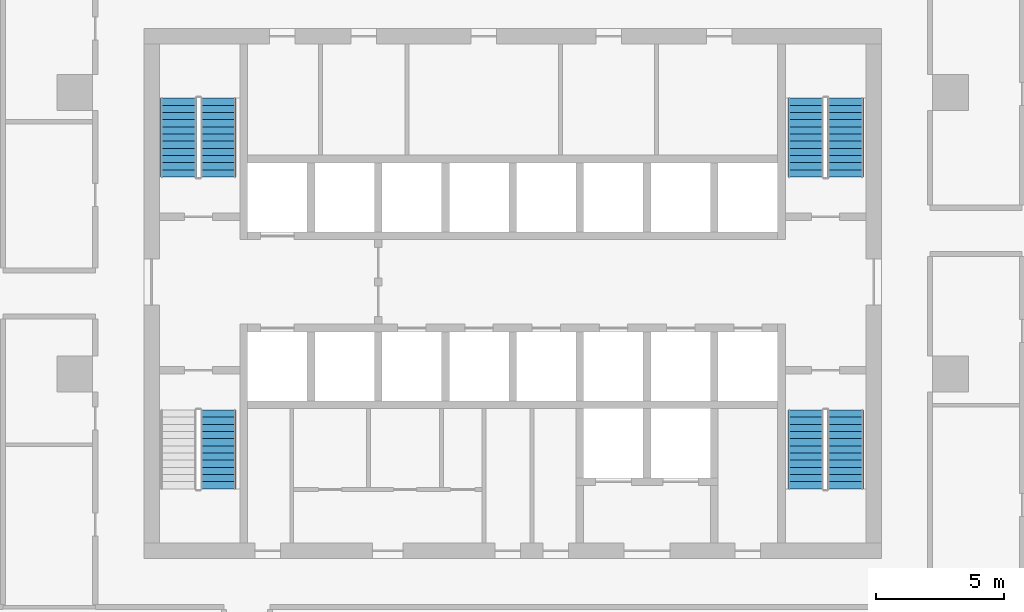
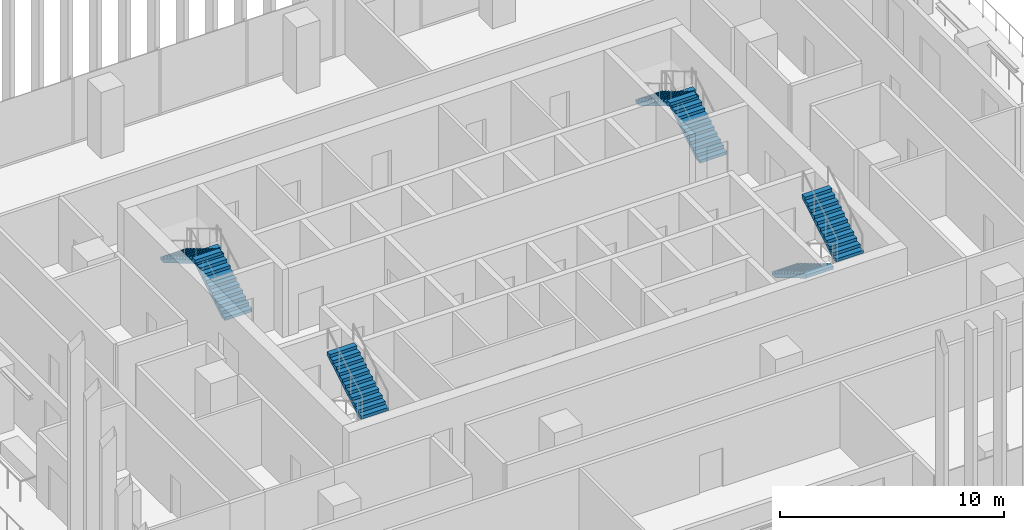
# One storey, part 11 of 16: 7 stair flights, 4 elements without a shape of their own.
"""IFC4 building model written with IfcOpenShell, lengths in metres."""

from ifc_helpers import new_model, si_unit, direction, frame, origin, place, context, subcontext, project, spatial, polyline, outline, extrude, material, type_object, element, aggregate, save


model = new_model("IFC4")

# Units and contexts
model_context = context("Model", 3, precision=1e-05, world=origin(), true_north=direction((0.0, 1.0)))
body_context = subcontext(model_context, "Body", "Model", "MODEL_VIEW")
ifc_project = project(units=[si_unit("LENGTHUNIT", "METRE"), si_unit("AREAUNIT", "SQUARE_METRE"), si_unit("VOLUMEUNIT", "CUBIC_METRE"), si_unit("PLANEANGLEUNIT", "RADIAN"), si_unit("MASSUNIT", "GRAM", prefix="KILO")], contexts=[model_context])

# Site, building, storey
site_placement = place(None, origin())
site = spatial("IfcSite", under=ifc_project, at=site_placement, CompositionType="ELEMENT")
building_placement = place(site_placement, origin())
building = spatial("IfcBuilding", under=site, at=building_placement, Name="Mopane Tessera Tower", CompositionType="ELEMENT")
storey_placement = place(building_placement, frame((0.0, 0.0, 157.0)))
storey = spatial("IfcBuildingStorey", under=building, at=storey_placement, Name="L31", CompositionType="ELEMENT", Elevation=157.0)

# Stair, stair flight
ifc_material_1 = material(Name="Concrete C50/60", Category="concrete")
stair_type = type_object("IfcStairType", Name="Escape stair 1400 mm, riser 167 mm", PredefinedType="HALF_TURN_STAIR", material=ifc_material_1)
stair_1_placement = place(storey_placement, origin())
stair_1 = element("IfcStair", 1, at=stair_1_placement, inside=storey, type_object=stair_type, Name="L31 Escape stair south-west", PredefinedType="HALF_TURN_STAIR")
ifc_material_2 = material(Name="Concrete C50/60", Category="concrete")
stair_flight_type = type_object("IfcStairFlightType", Name="Escape stair flight 1400 mm", PredefinedType="STRAIGHT", material=ifc_material_2)
stair_flight_1_placement = place(storey_placement, frame((-11.5, -4.47998046875, 2.0), z_axis=(0.0, 0.0, 1.0), x_axis=(0.0, 1.0, 0.0)))
stair_flight_1 = element("IfcStairFlight", 2, at=stair_flight_1_placement, type_object=stair_flight_type, Name="ST1 flight 2", NumberOfRisers=12, NumberOfTreads=11, PredefinedType="STRAIGHT", RiserHeight=0.166666667, TreadLength=0.28, context=body_context, shape_type="SweptSolid", body=[
    extrude(outline(polyline([(0.0, 0.0), (0.0, 0.166748046875), (0.280029296875, 0.166748046875), (0.280029296875, 0.333251953125), (0.56005859375, 0.333251953125), (0.56005859375, 0.5), (0.840087890625, 0.5), (0.840087890625, 0.666748046875), (1.1201171875, 0.666748046875), (1.1201171875, 0.833251953125), (1.39990234375, 0.833251953125), (1.39990234375, 1.0), (1.679931640625, 1.0), (1.679931640625, 1.166748046875), (1.9599609375, 1.166748046875), (1.9599609375, 1.333251953125), (2.239990234375, 1.333251953125), (2.239990234375, 1.5), (2.52001953125, 1.5), (2.52001953125, 1.666748046875), (2.800048828125, 1.666748046875), (2.800048828125, 1.833251953125), (3.080078125, 1.833251953125), (3.080078125, 2.0), (3.080078125, 1.658935546875), (0.29296875, 0.0), (0.0, 0.0)])), frame((0.0, 0.699951171875, 0.0), z_axis=(0.0, -1.0, 0.0), x_axis=(1.0, 0.0, 0.0)), (0.0, 0.0, 1.0), 1.39990234375),
])
aggregate(stair_1, [stair_flight_1])

# Stair, stair flights
stair_2_placement = place(storey_placement, origin())
stair_2 = element("IfcStair", 3, at=stair_2_placement, inside=storey, type_object=stair_type, Name="L31 Escape stair north-west", PredefinedType="HALF_TURN_STAIR")
stair_flight_2_placement = place(storey_placement, frame((-11.5, 7.699951171875, 0.0), z_axis=(0.0, 0.0, 1.0), x_axis=(0.0, 1.0, 0.0)))
stair_flight_2 = element("IfcStairFlight", 4, at=stair_flight_2_placement, type_object=stair_flight_type, Name="ST2 flight 1", NumberOfRisers=12, NumberOfTreads=11, PredefinedType="STRAIGHT", RiserHeight=0.166666667, TreadLength=0.28, context=body_context, shape_type="SweptSolid", body=[
    extrude(outline(polyline([(0.0, 0.0), (0.0, 0.166748046875), (0.280029296875, 0.166748046875), (0.280029296875, 0.333251953125), (0.56005859375, 0.333251953125), (0.56005859375, 0.5), (0.840087890625, 0.5), (0.840087890625, 0.666748046875), (1.1201171875, 0.666748046875), (1.1201171875, 0.833251953125), (1.39990234375, 0.833251953125), (1.39990234375, 1.0), (1.679931640625, 1.0), (1.679931640625, 1.166748046875), (1.9599609375, 1.166748046875), (1.9599609375, 1.333251953125), (2.239990234375, 1.333251953125), (2.239990234375, 1.5), (2.52001953125, 1.5), (2.52001953125, 1.666748046875), (2.800048828125, 1.666748046875), (2.800048828125, 1.833251953125), (3.080078125, 1.833251953125), (3.080078125, 2.0), (3.080078125, 1.658935546875), (0.29296875, 0.0), (0.0, 0.0)])), frame((0.0, 0.699951171875, 0.0), z_axis=(0.0, -1.0, 0.0), x_axis=(1.0, 0.0, 0.0)), (0.0, 0.0, 1.0), 1.39990234375),
])
stair_flight_3_placement = place(storey_placement, frame((-13.050048828125, 10.780029296875, 2.0), z_axis=(0.0, 0.0, 1.0), x_axis=(0.0, -1.0, 0.0)))
stair_flight_3 = element("IfcStairFlight", 5, at=stair_flight_3_placement, type_object=stair_flight_type, Name="ST2 flight 2", NumberOfRisers=12, NumberOfTreads=11, PredefinedType="STRAIGHT", RiserHeight=0.166666667, TreadLength=0.28, context=body_context, shape_type="SweptSolid", body=[
    extrude(outline(polyline([(0.0, 0.0), (0.0, 0.166748046875), (0.280029296875, 0.166748046875), (0.280029296875, 0.333251953125), (0.56005859375, 0.333251953125), (0.56005859375, 0.5), (0.840087890625, 0.5), (0.840087890625, 0.666748046875), (1.1201171875, 0.666748046875), (1.1201171875, 0.833251953125), (1.39990234375, 0.833251953125), (1.39990234375, 1.0), (1.679931640625, 1.0), (1.679931640625, 1.166748046875), (1.9599609375, 1.166748046875), (1.9599609375, 1.333251953125), (2.239990234375, 1.333251953125), (2.239990234375, 1.5), (2.52001953125, 1.5), (2.52001953125, 1.666748046875), (2.800048828125, 1.666748046875), (2.800048828125, 1.833251953125), (3.080078125, 1.833251953125), (3.080078125, 2.0), (3.080078125, 1.658935546875), (0.29296875, 0.0), (0.0, 0.0)])), frame((0.0, 0.699951171875, 0.0), z_axis=(0.0, -1.0, 0.0), x_axis=(1.0, 0.0, 0.0)), (0.0, 0.0, 1.0), 1.39990234375),
])
aggregate(stair_2, [stair_flight_2, stair_flight_3])

stair_3_placement = place(storey_placement, origin())
stair_3 = element("IfcStair", 6, at=stair_3_placement, inside=storey, type_object=stair_type, Name="L31 Escape stair south-east", PredefinedType="HALF_TURN_STAIR")
stair_flight_4_placement = place(storey_placement, frame((11.449951171875, -1.39990234375, 0.0), z_axis=(0.0, 0.0, 1.0), x_axis=(0.0, -1.0, 0.0)))
stair_flight_4 = element("IfcStairFlight", 7, at=stair_flight_4_placement, type_object=stair_flight_type, Name="ST3 flight 1", NumberOfRisers=12, NumberOfTreads=11, PredefinedType="STRAIGHT", RiserHeight=0.166666667, TreadLength=0.28, context=body_context, shape_type="SweptSolid", body=[
    extrude(outline(polyline([(0.0, 0.0), (0.0, 0.166748046875), (0.280029296875, 0.166748046875), (0.280029296875, 0.333251953125), (0.56005859375, 0.333251953125), (0.56005859375, 0.5), (0.840087890625, 0.5), (0.840087890625, 0.666748046875), (1.1201171875, 0.666748046875), (1.1201171875, 0.833251953125), (1.39990234375, 0.833251953125), (1.39990234375, 1.0), (1.679931640625, 1.0), (1.679931640625, 1.166748046875), (1.9599609375, 1.166748046875), (1.9599609375, 1.333251953125), (2.239990234375, 1.333251953125), (2.239990234375, 1.5), (2.52001953125, 1.5), (2.52001953125, 1.666748046875), (2.800048828125, 1.666748046875), (2.800048828125, 1.833251953125), (3.080078125, 1.833251953125), (3.080078125, 2.0), (3.080078125, 1.658935546875), (0.29296875, 0.0), (0.0, 0.0)])), frame((0.0, 0.699951171875, 0.0), z_axis=(0.0, -1.0, 0.0), x_axis=(1.0, 0.0, 0.0)), (0.0, 0.0, 1.0), 1.39990234375),
])
stair_flight_5_placement = place(storey_placement, frame((13.0, -4.47998046875, 2.0), z_axis=(0.0, 0.0, 1.0), x_axis=(0.0, 1.0, 0.0)))
stair_flight_5 = element("IfcStairFlight", 8, at=stair_flight_5_placement, type_object=stair_flight_type, Name="ST3 flight 2", NumberOfRisers=12, NumberOfTreads=11, PredefinedType="STRAIGHT", RiserHeight=0.166666667, TreadLength=0.28, context=body_context, shape_type="SweptSolid", body=[
    extrude(outline(polyline([(0.0, 0.0), (0.0, 0.166748046875), (0.280029296875, 0.166748046875), (0.280029296875, 0.333251953125), (0.56005859375, 0.333251953125), (0.56005859375, 0.5), (0.840087890625, 0.5), (0.840087890625, 0.666748046875), (1.1201171875, 0.666748046875), (1.1201171875, 0.833251953125), (1.39990234375, 0.833251953125), (1.39990234375, 1.0), (1.679931640625, 1.0), (1.679931640625, 1.166748046875), (1.9599609375, 1.166748046875), (1.9599609375, 1.333251953125), (2.239990234375, 1.333251953125), (2.239990234375, 1.5), (2.52001953125, 1.5), (2.52001953125, 1.666748046875), (2.800048828125, 1.666748046875), (2.800048828125, 1.833251953125), (3.080078125, 1.833251953125), (3.080078125, 2.0), (3.080078125, 1.658935546875), (0.29296875, 0.0), (0.0, 0.0)])), frame((0.0, 0.699951171875, 0.0), z_axis=(0.0, -1.0, 0.0), x_axis=(1.0, 0.0, 0.0)), (0.0, 0.0, 1.0), 1.39990234375),
])
aggregate(stair_3, [stair_flight_4, stair_flight_5])

stair_4_placement = place(storey_placement, origin())
stair_4 = element("IfcStair", 9, at=stair_4_placement, inside=storey, type_object=stair_type, Name="L31 Escape stair north-east", PredefinedType="HALF_TURN_STAIR")
stair_flight_6_placement = place(storey_placement, frame((13.0, 7.699951171875, 0.0), z_axis=(0.0, 0.0, 1.0), x_axis=(0.0, 1.0, 0.0)))
stair_flight_6 = element("IfcStairFlight", 10, at=stair_flight_6_placement, type_object=stair_flight_type, Name="ST4 flight 1", NumberOfRisers=12, NumberOfTreads=11, PredefinedType="STRAIGHT", RiserHeight=0.166666667, TreadLength=0.28, context=body_context, shape_type="SweptSolid", body=[
    extrude(outline(polyline([(0.0, 0.0), (0.0, 0.166748046875), (0.280029296875, 0.166748046875), (0.280029296875, 0.333251953125), (0.56005859375, 0.333251953125), (0.56005859375, 0.5), (0.840087890625, 0.5), (0.840087890625, 0.666748046875), (1.1201171875, 0.666748046875), (1.1201171875, 0.833251953125), (1.39990234375, 0.833251953125), (1.39990234375, 1.0), (1.679931640625, 1.0), (1.679931640625, 1.166748046875), (1.9599609375, 1.166748046875), (1.9599609375, 1.333251953125), (2.239990234375, 1.333251953125), (2.239990234375, 1.5), (2.52001953125, 1.5), (2.52001953125, 1.666748046875), (2.800048828125, 1.666748046875), (2.800048828125, 1.833251953125), (3.080078125, 1.833251953125), (3.080078125, 2.0), (3.080078125, 1.658935546875), (0.29296875, 0.0), (0.0, 0.0)])), frame((0.0, 0.699951171875, 0.0), z_axis=(0.0, -1.0, 0.0), x_axis=(1.0, 0.0, 0.0)), (0.0, 0.0, 1.0), 1.39990234375),
])
stair_flight_7_placement = place(storey_placement, frame((11.449951171875, 10.780029296875, 2.0), z_axis=(0.0, 0.0, 1.0), x_axis=(0.0, -1.0, 0.0)))
stair_flight_7 = element("IfcStairFlight", 11, at=stair_flight_7_placement, type_object=stair_flight_type, Name="ST4 flight 2", NumberOfRisers=12, NumberOfTreads=11, PredefinedType="STRAIGHT", RiserHeight=0.166666667, TreadLength=0.28, context=body_context, shape_type="SweptSolid", body=[
    extrude(outline(polyline([(0.0, 0.0), (0.0, 0.166748046875), (0.280029296875, 0.166748046875), (0.280029296875, 0.333251953125), (0.56005859375, 0.333251953125), (0.56005859375, 0.5), (0.840087890625, 0.5), (0.840087890625, 0.666748046875), (1.1201171875, 0.666748046875), (1.1201171875, 0.833251953125), (1.39990234375, 0.833251953125), (1.39990234375, 1.0), (1.679931640625, 1.0), (1.679931640625, 1.166748046875), (1.9599609375, 1.166748046875), (1.9599609375, 1.333251953125), (2.239990234375, 1.333251953125), (2.239990234375, 1.5), (2.52001953125, 1.5), (2.52001953125, 1.666748046875), (2.800048828125, 1.666748046875), (2.800048828125, 1.833251953125), (3.080078125, 1.833251953125), (3.080078125, 2.0), (3.080078125, 1.658935546875), (0.29296875, 0.0), (0.0, 0.0)])), frame((0.0, 0.699951171875, 0.0), z_axis=(0.0, -1.0, 0.0), x_axis=(1.0, 0.0, 0.0)), (0.0, 0.0, 1.0), 1.39990234375),
])
aggregate(stair_4, [stair_flight_6, stair_flight_7])

save(model, "model.ifc")
